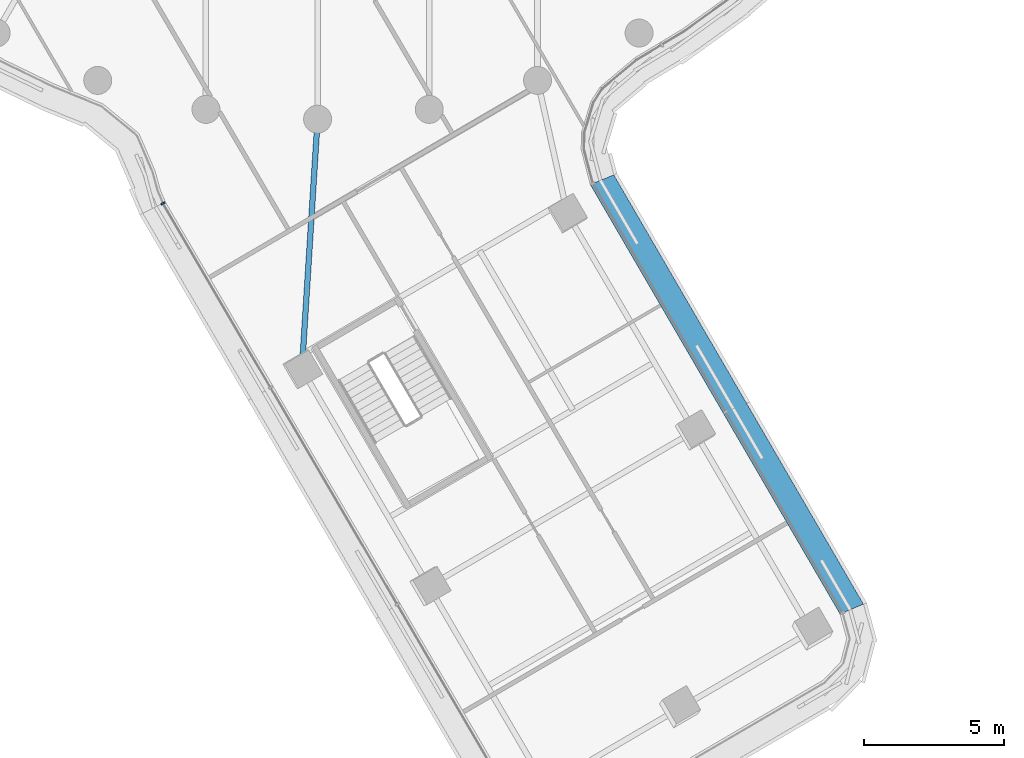
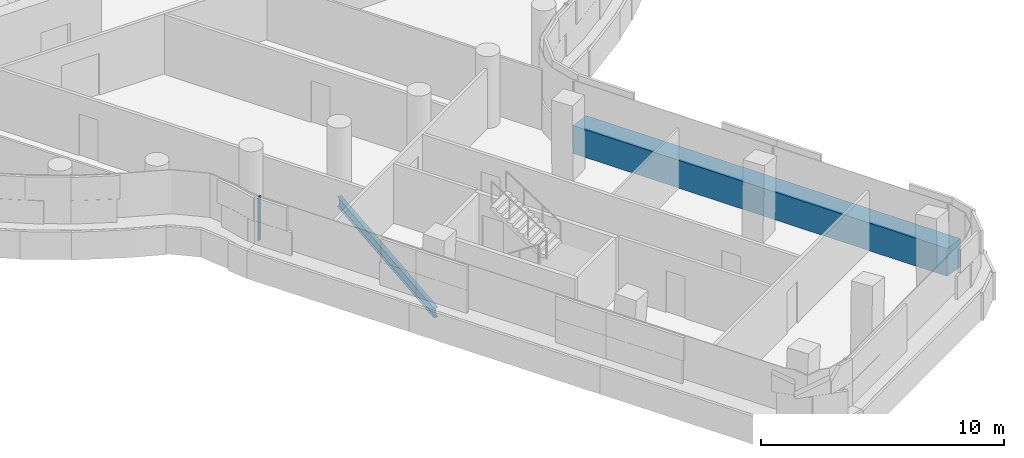
# One storey, part 4 of 35: 2 members, 1 beam, 2 elements without a shape of their own.
"""IFC4 building model written with IfcOpenShell, lengths in metres."""

from ifc_helpers import new_model, si_unit, direction, frame, origin, origin_2d, place, context, subcontext, project, spatial, polyline, rectangle, i_section, outline, extrude, material, layer, layer_set, material_profile, profile_set, type_object, element, aggregate, save


model = new_model("IFC4")

# Units and contexts
model_context = context("Model", 3, precision=1e-05, world=origin(), true_north=direction((0.0, 1.0)))
body_context = subcontext(model_context, "Body", "Model", "MODEL_VIEW")
ifc_project = project(units=[si_unit("LENGTHUNIT", "METRE"), si_unit("AREAUNIT", "SQUARE_METRE"), si_unit("VOLUMEUNIT", "CUBIC_METRE"), si_unit("PLANEANGLEUNIT", "RADIAN"), si_unit("MASSUNIT", "GRAM", prefix="KILO")], contexts=[model_context])

# Site, building, storey
site_placement = place(None, origin())
site = spatial("IfcSite", under=ifc_project, at=site_placement, CompositionType="ELEMENT")
building_placement = place(site_placement, origin())
building = spatial("IfcBuilding", under=site, at=building_placement, Name="Tamarind Cross Interchange Tower", CompositionType="ELEMENT")
storey_placement = place(building_placement, frame((0.0, 0.0, 144.25)))
storey = spatial("IfcBuildingStorey", under=building, at=storey_placement, Name="L35", CompositionType="ELEMENT", Elevation=144.25)

# Beam
ifc_material_1 = material(Name="Steel Q355B", Category="steel")
ifc_material_profile_1 = material_profile(ifc_material_1, i_section(OverallWidth=0.198974609375, OverallDepth=0.49609375, WebThickness=0.009033203125, FlangeThickness=0.013916015625, FilletRadius=0.012939453125, at=origin_2d()), Name="HN 496x199x9x14")
ifc_profile_set_1 = profile_set([ifc_material_profile_1], Name="Steel Q355B")
beam_type = type_object("IfcBeamType", Name="Composite beam HN 496x199x9x14 Q355B", PredefinedType="BEAM", material=ifc_profile_set_1)
beam_placement = place(storey_placement, frame((-0.561279296875, -31.941162109375, -0.387939453125), z_axis=(0.062651436077, 0.998035469088, 0.0), x_axis=(-0.998035469088, 0.062651436077, 0.0)))
element("IfcBeam", 1, at=beam_placement, inside=storey, type_object=beam_type, Name="Beam S-linkem", PredefinedType="BEAM", context=body_context, shape_type="SweptSolid", body=[
    extrude(i_section(OverallWidth=0.198974609375, OverallDepth=0.49609375, WebThickness=0.009033203125, FlangeThickness=0.013916015625, FilletRadius=0.012939453125, at=origin_2d()), origin(), (0.0, 0.0, 1.0), 8.958740234375),
])

# Curtain wall, member
ifc_material_2 = material(Name="Aluminium 6063-T6", Category="aluminium")
ifc_layer = layer(ifc_material_2, 0.159912109375)
ifc_layer_set = layer_set([ifc_layer], Name="Aluminium 6063-T6")
curtain_wall_type = type_object("IfcCurtainWallType", Name="Office curtain wall, 9.0 m bays", PredefinedType="NOTDEFINED", material=ifc_layer_set)
curtain_wall_1_placement = place(storey_placement, origin())
curtain_wall_1 = element("IfcCurtainWall", 2, at=curtain_wall_1_placement, inside=storey, type_object=curtain_wall_type, Name="CWS-L35-05", PredefinedType="NOTDEFINED")
ifc_material_3 = material(Name="Aluminium and insulated spandrel panel", Category="aluminium")
member_type_1 = type_object("IfcMemberType", Name="Floor-edge blade transom", PredefinedType="USERDEFINED", material=ifc_material_3)
member_1_placement = place(storey_placement, origin())
member_1 = element("IfcMember", 3, at=member_1_placement, type_object=member_type_1, Name="CWT-L35-05", ObjectType="TRANSOM", PredefinedType="USERDEFINED", context=body_context, shape_type="SweptSolid", body=[
    extrude(outline(polyline([(18.6875, -40.70068359375), (9.75390625, -25.33837890625), (10.59375, -24.992431640625), (19.524658203125, -40.349853515625), (18.6875, -40.70068359375)])), origin(), (0.0, 0.0, 1.0), 1.39990234375),
])
aggregate(curtain_wall_1, [member_1])

curtain_wall_2_placement = place(storey_placement, origin())
curtain_wall_2 = element("IfcCurtainWall", 4, at=curtain_wall_2_placement, inside=storey, type_object=curtain_wall_type, Name="CWS-L35-03", PredefinedType="NOTDEFINED")
ifc_material_profile_2 = material_profile(ifc_material_2, rectangle(XDim=0.06005859375, YDim=0.159912109375, at=origin_2d()), Name="Mullion CW1")
ifc_profile_set_2 = profile_set([ifc_material_profile_2], Name="Aluminium 6063-T6")
member_type_2 = type_object("IfcMemberType", Name="Mullion CW1", PredefinedType="MULLION", material=ifc_profile_set_2)
member_2_placement = place(storey_placement, frame((-5.532470703125, -26.01025390625, 1.39990234375), z_axis=(0.0, 0.0, 1.0), x_axis=(0.446966130428, -0.89455088075, 0.0)))
member_2 = element("IfcMember", 5, at=member_2_placement, type_object=member_type_2, Name="CWM-L35-03-00", PredefinedType="MULLION", context=body_context, shape_type="SweptSolid", body=[
    extrude(rectangle(XDim=0.06005859375, YDim=0.159912109375, at=origin_2d()), origin(), (0.0, 0.0, 1.0), 2.210205078125),
])
aggregate(curtain_wall_2, [member_2])

save(model, "model.ifc")
